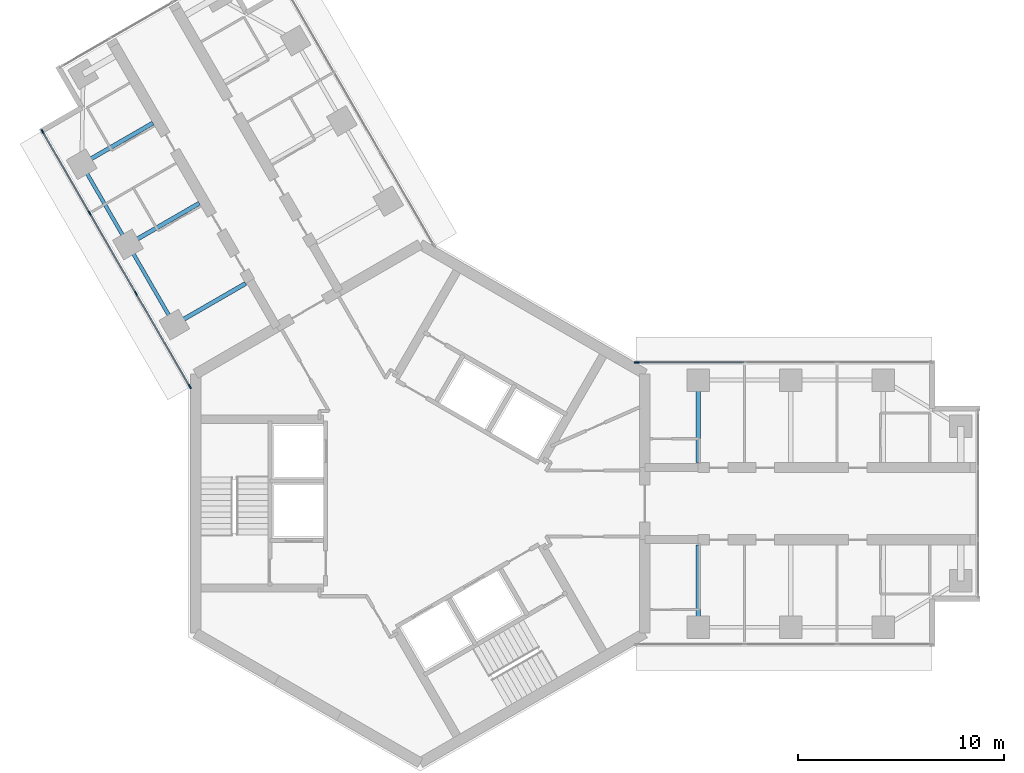
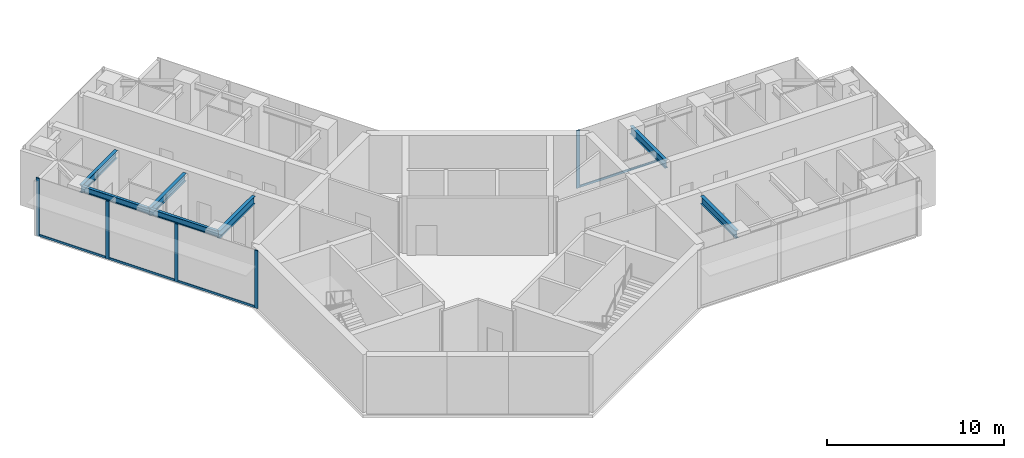
# One storey, part 5 of 18: 9 members, 7 beams, 2 elements without a shape of their own.
"""IFC4 building model written with IfcOpenShell, lengths in metres."""

from ifc_helpers import new_model, si_unit, direction, frame, origin, origin_2d, place, context, subcontext, project, spatial, rectangle, i_section, extrude, material, material_profile, profile_set, type_object, element, aggregate, save


model = new_model("IFC4")

# Units and contexts
model_context = context("Model", 3, precision=1e-05, world=origin(), true_north=direction((0.0, 1.0)))
body_context = subcontext(model_context, "Body", "Model", "MODEL_VIEW")
ifc_project = project(units=[si_unit("LENGTHUNIT", "METRE"), si_unit("AREAUNIT", "SQUARE_METRE"), si_unit("VOLUMEUNIT", "CUBIC_METRE"), si_unit("PLANEANGLEUNIT", "RADIAN"), si_unit("MASSUNIT", "GRAM", prefix="KILO")], contexts=[model_context])

# Site, building, storey
site_placement = place(None, origin())
site = spatial("IfcSite", under=ifc_project, at=site_placement, CompositionType="ELEMENT")
building_placement = place(site_placement, origin())
building = spatial("IfcBuilding", under=site, at=building_placement, Name="Upepo Twin Towers", CompositionType="ELEMENT")
storey_placement = place(building_placement, frame((0.0, 0.0, 222.5)))
storey = spatial("IfcBuildingStorey", under=building, at=storey_placement, Name="L54", CompositionType="ELEMENT", Elevation=222.5)

# Beams
ifc_material_1 = material(Name="Steel S355", Category="steel")
ifc_material_profile_1 = material_profile(ifc_material_1, i_section(OverallWidth=0.177978515625, OverallDepth=0.406494140625, WebThickness=0.0078125, FlangeThickness=0.0126953125, FilletRadius=0.01025390625, at=origin_2d()), Name="UB 406x178x60")
ifc_profile_set_1 = profile_set([ifc_material_profile_1], Name="Steel S355")
beam_type_1 = type_object("IfcBeamType", Name="Beam UB 406x178x60", PredefinedType="BEAM", material=ifc_profile_set_1)
beam_1_placement = place(storey_placement, frame((-11.946044921875, 8.69140625, 3.5966796875), z_axis=(-0.500013631625, 0.866017533419, 0.0), x_axis=(-0.866017533419, -0.500013631625, 0.0)))
element("IfcBeam", 1, at=beam_1_placement, inside=storey, type_object=beam_type_1, Name="T1 edge beam BL 13.5-18.0", PredefinedType="BEAM", context=body_context, shape_type="SweptSolid", body=[
    extrude(i_section(OverallWidth=0.177978515625, OverallDepth=0.406494140625, WebThickness=0.0078125, FlangeThickness=0.0126953125, FilletRadius=0.01025390625, at=origin_2d()), origin(), (0.0, 0.0, 1.0), 4.499755859375),
])
beam_2_placement = place(storey_placement, frame((-14.196044921875, 12.58837890625, 3.5966796875), z_axis=(-0.499990139034, 0.866031096941, 0.0), x_axis=(-0.866031096941, -0.499990139034, 0.0)))
element("IfcBeam", 2, at=beam_2_placement, inside=storey, type_object=beam_type_1, Name="T1 edge beam BL 18.0-22.5", PredefinedType="BEAM", context=body_context, shape_type="SweptSolid", body=[
    extrude(i_section(OverallWidth=0.177978515625, OverallDepth=0.406494140625, WebThickness=0.0078125, FlangeThickness=0.0126953125, FilletRadius=0.01025390625, at=origin_2d()), origin(), (0.0, 0.0, 1.0), 4.5),
])
ifc_material_2 = material(Name="Steel S355", Category="steel")
ifc_material_profile_2 = material_profile(ifc_material_2, i_section(OverallWidth=0.209228515625, OverallDepth=0.533203125, WebThickness=0.010009765625, FlangeThickness=0.015625, FilletRadius=0.0126953125, at=origin_2d()), Name="UB 533x210x92")
ifc_profile_set_2 = profile_set([ifc_material_profile_2], Name="Steel S355")
beam_type_2 = type_object("IfcBeamType", Name="Beam UB 533x210x92", PredefinedType="BEAM", material=ifc_profile_set_2)
for number, where, z_axis, x_axis, name in (
    (3, (13.5, 6.0, 3.533447265625), (0.0, -1.0, 0.0), (1.0, 0.0, 0.0), "T1 girder AL at 13.5"),
    (4, (13.5, -6.0, 3.533447265625), (0.0, 1.0, 0.0), (-1.0, 0.0, 0.0), "T1 girder AR at 13.5"),
    (5, (-11.946044921875, 8.69140625, 3.533447265625), (0.866026010844, 0.49999894854, 0.0), (-0.49999894854, 0.866026010844, 0.0), "T1 girder BL at 13.5"),
    (6, (-14.196044921875, 12.58837890625, 3.533447265625), (0.866026010844, 0.49999894854, 0.0), (-0.49999894854, 0.866026010844, 0.0), "T1 girder BL at 18.0"),
    (7, (-16.446044921875, 16.485595703125, 3.533447265625), (0.866026010844, 0.49999894854, 0.0), (-0.49999894854, 0.866026010844, 0.0), "T1 girder BL at 22.5"),
):
    element("IfcBeam", number, at=place(storey_placement, frame(where, z_axis=z_axis, x_axis=x_axis)), inside=storey, type_object=beam_type_2, Name=name, PredefinedType="BEAM", context=body_context, shape_type="SweptSolid", body=[
        extrude(i_section(OverallWidth=0.209228515625, OverallDepth=0.533203125, WebThickness=0.010009765625, FlangeThickness=0.015625, FilletRadius=0.0126953125, at=origin_2d()), origin(), (0.0, 0.0, 1.0), 4.0),
    ])

# Curtain wall, member
ifc_material_3 = material(Name="Aluminium and fritted glass", Category="aluminium")
curtain_wall_type = type_object("IfcCurtainWallType", Name="Tower curtain wall TW3, fritted glass", PredefinedType="NOTDEFINED", material=ifc_material_3)
curtain_wall_1_placement = place(storey_placement, origin())
curtain_wall_1 = element("IfcCurtainWall", 8, at=curtain_wall_1_placement, inside=storey, type_object=curtain_wall_type, Name="T1 L54 wing A flank L curtain wall", PredefinedType="NOTDEFINED")
ifc_material_4 = material(Name="Aluminium mullion", Category="aluminium")
ifc_material_profile_3 = material_profile(ifc_material_4, rectangle(XDim=0.06494140625, YDim=0.22509765625, at=origin_2d()), Name="MULLION 65x225")
ifc_profile_set_3 = profile_set([ifc_material_profile_3], Name="Aluminium mullion")
member_type_1 = type_object("IfcMemberType", Name="Mullion 65x225 TW3", PredefinedType="MULLION", material=ifc_profile_set_3)
member_1_placement = place(storey_placement, frame((10.51953125, 6.85009765625, 0.0), z_axis=(0.0, 0.0, 1.0), x_axis=(0.0, 1.0, 0.0)))
member_1 = element("IfcMember", 9, at=member_1_placement, type_object=member_type_1, Name="T1 L54 wing A flank L curtain wall mullion 1", PredefinedType="MULLION", context=body_context, shape_type="SweptSolid", body=[
    extrude(rectangle(XDim=0.06494140625, YDim=0.22509765625, at=origin_2d()), origin(), (0.0, 0.0, 1.0), 4.0),
])

# Curtain wall, members
curtain_wall_2_placement = place(storey_placement, origin())
curtain_wall_2 = element("IfcCurtainWall", 10, at=curtain_wall_2_placement, inside=storey, type_object=curtain_wall_type, Name="T1 L54 wing B flank L curtain wall", PredefinedType="NOTDEFINED")
member_2_placement = place(storey_placement, frame((-11.192138671875, 5.685302734375, 0.0), z_axis=(0.0, 0.0, 1.0), x_axis=(-0.866025388469, -0.500000026527, 0.0)))
member_2 = element("IfcMember", 11, at=member_2_placement, type_object=member_type_1, Name="T1 L54 wing B flank L curtain wall mullion 1", PredefinedType="MULLION", context=body_context, shape_type="SweptSolid", body=[
    extrude(rectangle(XDim=0.06494140625, YDim=0.22509765625, at=origin_2d()), origin(), (0.0, 0.0, 1.0), 4.0),
])
member_3_placement = place(storey_placement, frame((-13.807373046875, 10.21484375, 0.0), z_axis=(0.0, 0.0, 1.0), x_axis=(-0.866025388469, -0.500000026527, 0.0)))
member_3 = element("IfcMember", 12, at=member_3_placement, type_object=member_type_1, Name="T1 L54 wing B flank L curtain wall mullion 2", PredefinedType="MULLION", context=body_context, shape_type="SweptSolid", body=[
    extrude(rectangle(XDim=0.06494140625, YDim=0.22509765625, at=origin_2d()), origin(), (0.0, 0.0, 1.0), 4.0),
])
member_4_placement = place(storey_placement, frame((-16.057373046875, 14.112060546875, 0.0), z_axis=(0.0, 0.0, 1.0), x_axis=(-0.866025388469, -0.500000026527, 0.0)))
member_4 = element("IfcMember", 13, at=member_4_placement, type_object=member_type_1, Name="T1 L54 wing B flank L curtain wall mullion 3", PredefinedType="MULLION", context=body_context, shape_type="SweptSolid", body=[
    extrude(rectangle(XDim=0.06494140625, YDim=0.22509765625, at=origin_2d()), origin(), (0.0, 0.0, 1.0), 4.0),
])
member_5_placement = place(storey_placement, frame((-18.341064453125, 18.067626953125, 0.0), z_axis=(0.0, 0.0, 1.0), x_axis=(-0.866025388469, -0.500000026527, 0.0)))
member_5 = element("IfcMember", 14, at=member_5_placement, type_object=member_type_1, Name="T1 L54 wing B flank L curtain wall mullion 4", PredefinedType="MULLION", context=body_context, shape_type="SweptSolid", body=[
    extrude(rectangle(XDim=0.06494140625, YDim=0.22509765625, at=origin_2d()), origin(), (0.0, 0.0, 1.0), 4.0),
])

# Member
ifc_material_5 = material(Name="Aluminium transom", Category="aluminium")
ifc_material_profile_4 = material_profile(ifc_material_5, rectangle(XDim=0.06494140625, YDim=0.14990234375, at=origin_2d()), Name="TRANSOM 65x150")
ifc_profile_set_4 = profile_set([ifc_material_profile_4], Name="Aluminium transom")
member_type_2 = type_object("IfcMemberType", Name="Transom 65x150 TW3", PredefinedType="USERDEFINED", material=ifc_profile_set_4)
member_6_placement = place(storey_placement, frame((10.552001953125, 6.85009765625, 0.074951171875), z_axis=(1.0, 0.0, 0.0), x_axis=(0.0, 1.0, 0.0)))
member_6 = element("IfcMember", 15, at=member_6_placement, type_object=member_type_2, Name="T1 L54 wing A flank L curtain wall transom 1", ObjectType="TRANSOM", PredefinedType="USERDEFINED", context=body_context, shape_type="SweptSolid", body=[
    extrude(rectangle(XDim=0.06494140625, YDim=0.14990234375, at=origin_2d()), origin(), (0.0, 0.0, 1.0), 5.16552734375),
])

aggregate(curtain_wall_1, [member_1, member_6])

member_7_placement = place(storey_placement, frame((-11.208251953125, 5.71337890625, 0.074951171875), z_axis=(-0.500007480159, 0.86602108507, 0.0), x_axis=(-0.86602108507, -0.500007480159, 0.0)))
member_7 = element("IfcMember", 16, at=member_7_placement, type_object=member_type_2, Name="T1 L54 wing B flank L curtain wall transom 1", ObjectType="TRANSOM", PredefinedType="USERDEFINED", context=body_context, shape_type="SweptSolid", body=[
    extrude(rectangle(XDim=0.06494140625, YDim=0.14990234375, at=origin_2d()), origin(), (0.0, 0.0, 1.0), 5.16552734375),
])

member_8_placement = place(storey_placement, frame((-13.823486328125, 10.2431640625, 0.074951171875), z_axis=(-0.500005184116, 0.866022410713, 0.0), x_axis=(-0.866022410713, -0.500005184116, 0.0)))
member_8 = element("IfcMember", 17, at=member_8_placement, type_object=member_type_2, Name="T1 L54 wing B flank L curtain wall transom 2", ObjectType="TRANSOM", PredefinedType="USERDEFINED", context=body_context, shape_type="SweptSolid", body=[
    extrude(rectangle(XDim=0.06494140625, YDim=0.14990234375, at=origin_2d()), origin(), (0.0, 0.0, 1.0), 4.43505859375),
])

member_9_placement = place(storey_placement, frame((-16.073486328125, 14.14013671875, 0.074951171875), z_axis=(-0.499982167615, 0.866035699072, 0.0), x_axis=(-0.866035699072, -0.499982167615, 0.0)))
member_9 = element("IfcMember", 18, at=member_9_placement, type_object=member_type_2, Name="T1 L54 wing B flank L curtain wall transom 3", ObjectType="TRANSOM", PredefinedType="USERDEFINED", context=body_context, shape_type="SweptSolid", body=[
    extrude(rectangle(XDim=0.06494140625, YDim=0.14990234375, at=origin_2d()), origin(), (0.0, 0.0, 1.0), 4.502685546875),
])

aggregate(curtain_wall_2, [member_2, member_3, member_4, member_5, member_7, member_8, member_9])

save(model, "model.ifc")
